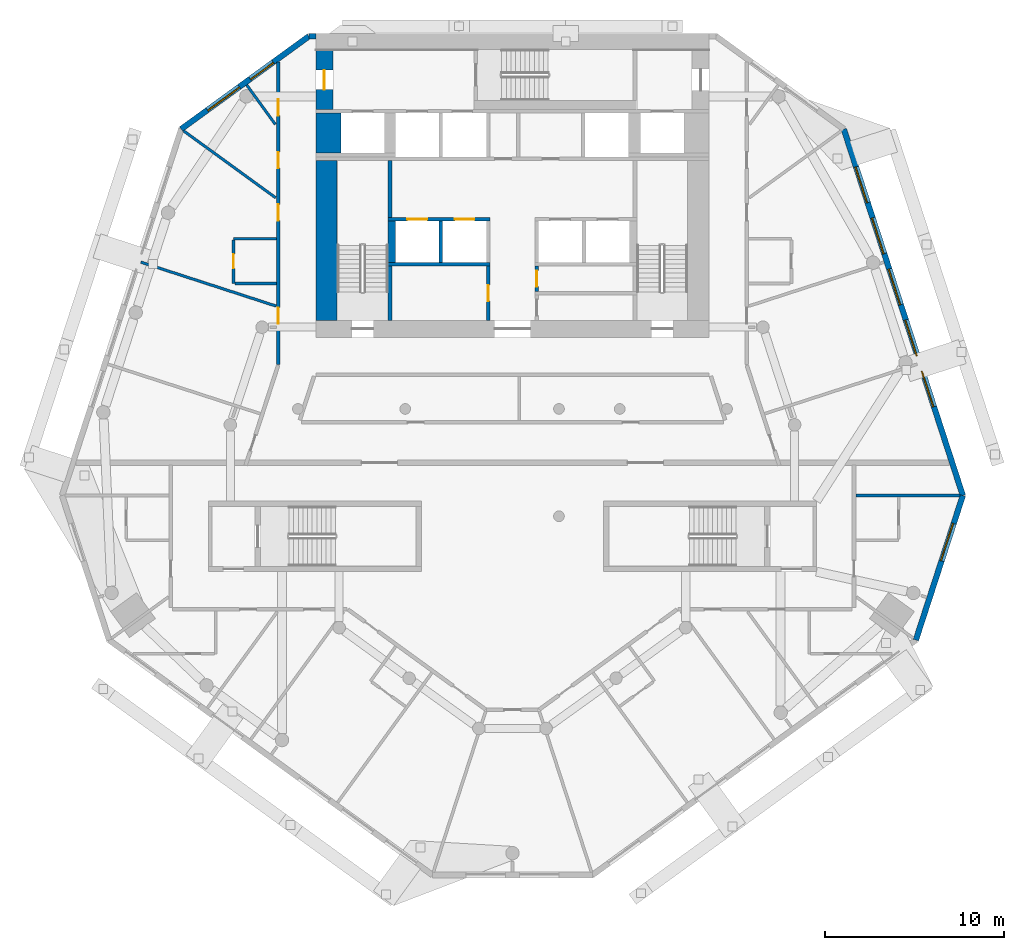
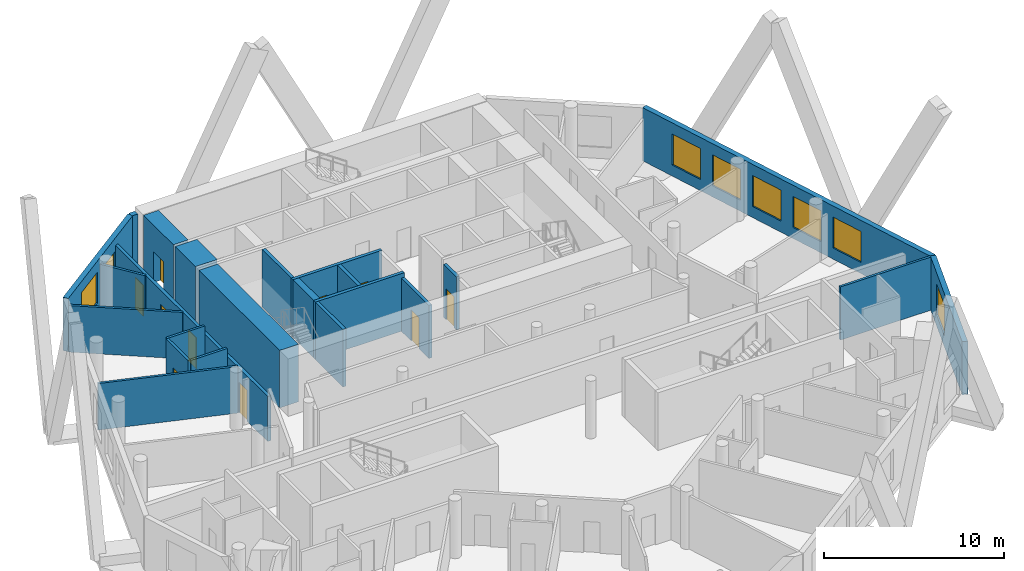
# One storey, part 6 of 10: 23 walls, 10 doors, 8 windows, 18 openings.
"""IFC4 building model written with IfcOpenShell, lengths in metres."""

from ifc_helpers import new_model, si_unit, direction, frame, frame_2d, origin, place, context, subcontext, project, spatial, rectangle, extrude, material, layer, layer_set, type_object, element, fill, save


model = new_model("IFC4")

# Units and contexts
model_context = context("Model", 3, precision=1e-05, world=origin(), true_north=direction((0.0, 1.0)))
body_context = subcontext(model_context, "Body", "Model", "MODEL_VIEW")
ifc_project = project(units=[si_unit("LENGTHUNIT", "METRE"), si_unit("AREAUNIT", "SQUARE_METRE"), si_unit("VOLUMEUNIT", "CUBIC_METRE"), si_unit("PLANEANGLEUNIT", "RADIAN"), si_unit("MASSUNIT", "GRAM", prefix="KILO")], contexts=[model_context])

# Site, building, storey
site_placement = place(None, origin())
site = spatial("IfcSite", under=ifc_project, at=site_placement, CompositionType="ELEMENT")
building_placement = place(site_placement, origin())
building = spatial("IfcBuilding", under=site, at=building_placement, Name="White Candle Pilgrim Tower", CompositionType="ELEMENT")
storey_placement = place(building_placement, frame((0.0, 0.0, 160.300048828125)))
storey = spatial("IfcBuildingStorey", under=building, at=storey_placement, Name="L36", CompositionType="ELEMENT", Elevation=160.300048828125)

# Wall
ifc_material_1 = material(Name="Concrete C60/75", Category="concrete")
ifc_layer_1 = layer(ifc_material_1, 1.39990234375)
ifc_layer_set_1 = layer_set([ifc_layer_1], Name="Core wall 1400 mm Concrete C60/75")
wall_type_1 = type_object("IfcWallType", Name="Core wall 1400 mm Concrete C60/75", PredefinedType="SHEAR", material=ifc_layer_set_1)
wall_1_placement = place(storey_placement, frame((59.699951171875, 81.300048828125, 0.0), z_axis=(0.0, 0.0, 1.0), x_axis=(0.0, 1.0, 0.0)))
element("IfcWall", 1, at=wall_1_placement, inside=storey, type_object=wall_type_1, Name="WL-L36-C40", PredefinedType="SHEAR", context=body_context, shape_type="SweptSolid", body=[
    extrude(rectangle(XDim=2.25, YDim=1.39990234375, at=frame_2d((1.125, 0.0))), origin(), (0.0, 0.0, 1.0), 3.89990234375),
])

# Wall, opening, door
ifc_layer_2 = layer(ifc_material_1, 0.949951171875)
ifc_layer_set_2 = layer_set([ifc_layer_2], Name="Core wall 950 mm Concrete C60/75")
wall_type_2 = type_object("IfcWallType", Name="Core wall 950 mm Concrete C60/75", PredefinedType="SHEAR", material=ifc_layer_set_2)
wall_2_placement = place(storey_placement, frame((59.47509765625, 83.75, 0.0), z_axis=(0.0, 0.0, 1.0), x_axis=(0.0, 1.0, 0.0)))
wall_2 = element("IfcWall", 2, at=wall_2_placement, inside=storey, type_object=wall_type_2, Name="WL-L36-C45", PredefinedType="SHEAR", context=body_context, shape_type="SweptSolid", body=[
    extrude(rectangle(XDim=3.300048828125, YDim=0.949951171875, at=frame_2d((1.64990234375, 0.0))), origin(), (0.0, 0.0, 1.0), 3.89990234375),
])
opening_1_placement = place(wall_2_placement, frame((1.10009765625, 0.0, 0.0)))
opening_1 = element("IfcOpeningElement", 3, at=opening_1_placement, cuts=wall_2, Name="Opening T11-008", PredefinedType="OPENING", context=body_context, shape_type="SweptSolid", body=[
    extrude(rectangle(XDim=1.10009765625, YDim=2.10009765625, at=frame_2d((0.550048828125, 1.050048828125))), frame((0.0, 0.48486328125, 0.0), z_axis=(0.0, -1.0, 0.0), x_axis=(1.0, 0.0, 0.0)), (0.0, 0.0, 1.0), 0.969970703125),
])
ifc_material_2 = material(Name="Steel door leaf", Category="steel")
door_type_1 = type_object("IfcDoorType", Name="Fire door 1100 x 2100 EI 60", OperationType="NOTDEFINED", PredefinedType="DOOR", material=ifc_material_2)
door_1_placement = place(opening_1_placement, origin())
door_1 = element("IfcDoor", 4, at=door_1_placement, inside=storey, type_object=door_type_1, Name="Door T11-008", OperationType="SINGLE_SWING_RIGHT", OverallHeight=2.10009765625, OverallWidth=1.10009765625, PredefinedType="DOOR", context=body_context, shape_type="SweptSolid", body=[
    extrude(rectangle(XDim=1.10009765625, YDim=2.10009765625, at=frame_2d((0.550048828125, 1.050048828125))), frame((0.0, 0.02490234375, 0.0), z_axis=(0.0, -1.0, 0.0), x_axis=(1.0, 0.0, 0.0)), (0.0, 0.0, 1.0), 0.050048828125),
])
fill(opening_1, door_1)

# Wall, openings, doors
ifc_material_3 = material(Name="Gypsum board on steel studs", Category="steel")
ifc_layer_3 = layer(ifc_material_3, 0.199951171875)
ifc_layer_set_3 = layer_set([ifc_layer_3], Name="Corridor wall 200 mm EI 45")
wall_type_3 = type_object("IfcWallType", Name="Corridor wall 200 mm EI 45", PredefinedType="PARTITIONING", material=ifc_layer_set_3)
wall_3_placement = place(storey_placement, frame((56.89990234375, 69.472900390625, 0.0), z_axis=(0.0, 0.0, 1.0), x_axis=(0.0, 1.0, 0.0)))
wall_3 = element("IfcWall", 5, at=wall_3_placement, inside=storey, type_object=wall_type_3, Name="WL-L36-P003", PredefinedType="PARTITIONING", context=body_context, shape_type="SweptSolid", body=[
    extrude(rectangle(XDim=16.92333984375, YDim=0.199951171875, at=frame_2d((8.461669921875, 0.0))), origin(), (0.0, 0.0, 1.0), 3.050048828125),
])
opening_2_placement = place(wall_3_placement, frame((2.29638671875, 0.0, 0.0)))
opening_2 = element("IfcOpeningElement", 6, at=opening_2_placement, cuts=wall_3, Name="Opening T11-125", PredefinedType="OPENING", context=body_context, shape_type="SweptSolid", body=[
    extrude(rectangle(XDim=0.89990234375, YDim=2.10009765625, at=frame_2d((0.449951171875, 1.050048828125))), frame((0.0, 0.10986328125, 0.0), z_axis=(0.0, -1.0, 0.0), x_axis=(1.0, 0.0, 0.0)), (0.0, 0.0, 1.0), 0.219970703125),
])
opening_3_placement = place(wall_3_placement, frame((8.06298828125, 0.0, 0.0)))
opening_3 = element("IfcOpeningElement", 7, at=opening_3_placement, cuts=wall_3, Name="Opening T11-126", PredefinedType="OPENING", context=body_context, shape_type="SweptSolid", body=[
    extrude(rectangle(XDim=0.89990234375, YDim=2.10009765625, at=frame_2d((0.449951171875, 1.050048828125))), frame((0.0, 0.10986328125, 0.0), z_axis=(0.0, -1.0, 0.0), x_axis=(1.0, 0.0, 0.0)), (0.0, 0.0, 1.0), 0.219970703125),
])
opening_4_placement = place(wall_3_placement, frame((10.989501953125, 0.0, 0.0)))
opening_4 = element("IfcOpeningElement", 8, at=opening_4_placement, cuts=wall_3, Name="Opening T11-127", PredefinedType="OPENING", context=body_context, shape_type="SweptSolid", body=[
    extrude(rectangle(XDim=0.89990234375, YDim=2.10009765625, at=frame_2d((0.449951171875, 1.050048828125))), frame((0.0, 0.10986328125, 0.0), z_axis=(0.0, -1.0, 0.0), x_axis=(1.0, 0.0, 0.0)), (0.0, 0.0, 1.0), 0.219970703125),
])
opening_5_placement = place(wall_3_placement, frame((13.934814453125, 0.0, 0.0)))
opening_5 = element("IfcOpeningElement", 9, at=opening_5_placement, cuts=wall_3, Name="Opening T11-128", PredefinedType="OPENING", context=body_context, shape_type="SweptSolid", body=[
    extrude(rectangle(XDim=0.89990234375, YDim=2.10009765625, at=frame_2d((0.449951171875, 1.050048828125))), frame((0.0, 0.10986328125, 0.0), z_axis=(0.0, -1.0, 0.0), x_axis=(1.0, 0.0, 0.0)), (0.0, 0.0, 1.0), 0.219970703125),
])
door_type_2 = type_object("IfcDoorType", Name="Fire door 900 x 2100 EI 30", OperationType="NOTDEFINED", PredefinedType="DOOR", material=ifc_material_2)
door_2_placement = place(opening_2_placement, origin())
door_2 = element("IfcDoor", 10, at=door_2_placement, inside=storey, type_object=door_type_2, Name="Door T11-125", OperationType="SINGLE_SWING_RIGHT", OverallHeight=2.10009765625, OverallWidth=0.89990234375, PredefinedType="DOOR", context=body_context, shape_type="SweptSolid", body=[
    extrude(rectangle(XDim=0.89990234375, YDim=2.10009765625, at=frame_2d((0.449951171875, 1.050048828125))), frame((0.0, 0.02490234375, 0.0), z_axis=(0.0, -1.0, 0.0), x_axis=(1.0, 0.0, 0.0)), (0.0, 0.0, 1.0), 0.050048828125),
])
fill(opening_2, door_2)
door_3_placement = place(opening_3_placement, origin())
door_3 = element("IfcDoor", 11, at=door_3_placement, inside=storey, type_object=door_type_2, Name="Door T11-126", OperationType="SINGLE_SWING_RIGHT", OverallHeight=2.10009765625, OverallWidth=0.89990234375, PredefinedType="DOOR", context=body_context, shape_type="SweptSolid", body=[
    extrude(rectangle(XDim=0.89990234375, YDim=2.10009765625, at=frame_2d((0.449951171875, 1.050048828125))), frame((0.0, 0.02490234375, 0.0), z_axis=(0.0, -1.0, 0.0), x_axis=(1.0, 0.0, 0.0)), (0.0, 0.0, 1.0), 0.050048828125),
])
fill(opening_3, door_3)
door_4_placement = place(opening_4_placement, origin())
door_4 = element("IfcDoor", 12, at=door_4_placement, inside=storey, type_object=door_type_2, Name="Door T11-127", OperationType="SINGLE_SWING_LEFT", OverallHeight=2.10009765625, OverallWidth=0.89990234375, PredefinedType="DOOR", context=body_context, shape_type="SweptSolid", body=[
    extrude(rectangle(XDim=0.89990234375, YDim=2.10009765625, at=frame_2d((0.449951171875, 1.050048828125))), frame((0.0, 0.02490234375, 0.0), z_axis=(0.0, -1.0, 0.0), x_axis=(1.0, 0.0, 0.0)), (0.0, 0.0, 1.0), 0.050048828125),
])
fill(opening_4, door_4)
door_5_placement = place(opening_5_placement, origin())
door_5 = element("IfcDoor", 13, at=door_5_placement, inside=storey, type_object=door_type_2, Name="Door T11-128", OperationType="SINGLE_SWING_RIGHT", OverallHeight=2.10009765625, OverallWidth=0.89990234375, PredefinedType="DOOR", context=body_context, shape_type="SweptSolid", body=[
    extrude(rectangle(XDim=0.89990234375, YDim=2.10009765625, at=frame_2d((0.449951171875, 1.050048828125))), frame((0.0, 0.02490234375, 0.0), z_axis=(0.0, -1.0, 0.0), x_axis=(1.0, 0.0, 0.0)), (0.0, 0.0, 1.0), 0.050048828125),
])
fill(opening_5, door_5)

# Wall, opening, window
ifc_material_4 = material(Name="Precast concrete C40/50", Category="concrete")
ifc_layer_4 = layer(ifc_material_4, 0.320068359375)
ifc_layer_set_4 = layer_set([ifc_layer_4], Name="Facade wall EW1 precast concrete C40/50 pier wall with timber-lined reveals")
wall_type_4 = type_object("IfcWallType", Name="Facade wall EW1 precast concrete C40/50 pier wall with timber-lined reveals", PredefinedType="SOLIDWALL", material=ifc_layer_set_4)
wall_4_placement = place(storey_placement, frame((92.559326171875, 54.071044921875, 0.0), z_axis=(0.0, 0.0, 1.0), x_axis=(0.30900946713, 0.951058962012, 0.0)))
wall_4 = element("IfcWall", 14, at=wall_4_placement, inside=storey, type_object=wall_type_4, Name="Facade wall L36 E chamfer", PredefinedType="SOLIDWALL", context=body_context, shape_type="SweptSolid", body=[
    extrude(rectangle(XDim=8.503662109375, YDim=0.320068359375, at=frame_2d((4.251953125, 0.0))), origin(), (0.0, 0.0, 1.0), 3.599853515625),
])
opening_6_placement = place(wall_4_placement, frame((4.65185546875, 0.0, 0.75)))
opening_6 = element("IfcOpeningElement", 15, at=opening_6_placement, cuts=wall_4, Name="Opening W4", PredefinedType="OPENING", context=body_context, shape_type="SweptSolid", body=[
    extrude(rectangle(XDim=2.199951171875, YDim=2.10009765625, at=frame_2d((1.10009765625, 1.050048828125))), frame((0.0, 0.169921875, 0.0), z_axis=(0.0, -1.0, 0.0), x_axis=(1.0, 0.0, 0.0)), (0.0, 0.0, 1.0), 0.340087890625),
])
ifc_material_5 = material(Name="Timber frame with triple glazing", Category="wood")
window_type_1 = type_object("IfcWindowType", Name="Window W4 2200x2100 timber frame triple glazing", PartitioningType="SINGLE_PANEL", PredefinedType="WINDOW", material=ifc_material_5)
window_1_placement = place(opening_6_placement, origin())
window_1 = element("IfcWindow", 16, at=window_1_placement, inside=storey, type_object=window_type_1, Name="Window W4 L36 E chamfer 2", OverallHeight=2.10009765625, OverallWidth=2.199951171875, PartitioningType="SINGLE_PANEL", PredefinedType="WINDOW", context=body_context, shape_type="SweptSolid", body=[
    extrude(rectangle(XDim=2.199951171875, YDim=2.10009765625, at=frame_2d((1.10009765625, 1.050048828125))), frame((0.0, 0.070068359375, 0.0), z_axis=(0.0, -1.0, 0.0), x_axis=(1.0, 0.0, 0.0)), (0.0, 0.0, 1.0), 0.06005859375),
])
fill(opening_6, window_1)

# Wall, openings, windows
wall_5_placement = place(storey_placement, frame((95.18701171875, 62.158447265625, 0.0), z_axis=(0.0, 0.0, 1.0), x_axis=(-0.309015355068, 0.951057048937, 0.0)))
wall_5 = element("IfcWall", 17, at=wall_5_placement, inside=storey, type_object=wall_type_4, Name="Facade wall L36 ENE", PredefinedType="SOLIDWALL", context=body_context, shape_type="SweptSolid", body=[
    extrude(rectangle(XDim=21.545654296875, YDim=0.320068359375, at=frame_2d((10.77294921875, 0.0))), origin(), (0.0, 0.0, 1.0), 3.599853515625),
])
opening_7_placement = place(wall_5_placement, frame((5.222900390625, 0.0, 0.75)))
opening_7 = element("IfcOpeningElement", 18, at=opening_7_placement, cuts=wall_5, Name="Opening W3", PredefinedType="OPENING", context=body_context, shape_type="SweptSolid", body=[
    extrude(rectangle(XDim=2.10009765625, YDim=2.10009765625, at=frame_2d((1.050048828125, 1.050048828125))), frame((0.0, 0.169921875, 0.0), z_axis=(0.0, -1.0, 0.0), x_axis=(1.0, 0.0, 0.0)), (0.0, 0.0, 1.0), 0.340087890625),
])
opening_8_placement = place(wall_5_placement, frame((8.222900390625, 0.0, 0.75)))
opening_8 = element("IfcOpeningElement", 19, at=opening_8_placement, cuts=wall_5, Name="Opening W3", PredefinedType="OPENING", context=body_context, shape_type="SweptSolid", body=[
    extrude(rectangle(XDim=2.10009765625, YDim=2.10009765625, at=frame_2d((1.050048828125, 1.050048828125))), frame((0.0, 0.169921875, 0.0), z_axis=(0.0, -1.0, 0.0), x_axis=(1.0, 0.0, 0.0)), (0.0, 0.0, 1.0), 0.340087890625),
])
opening_9_placement = place(wall_5_placement, frame((11.222900390625, 0.0, 0.75)))
opening_9 = element("IfcOpeningElement", 20, at=opening_9_placement, cuts=wall_5, Name="Opening W3", PredefinedType="OPENING", context=body_context, shape_type="SweptSolid", body=[
    extrude(rectangle(XDim=2.10009765625, YDim=2.10009765625, at=frame_2d((1.050048828125, 1.050048828125))), frame((0.0, 0.169921875, 0.0), z_axis=(0.0, -1.0, 0.0), x_axis=(1.0, 0.0, 0.0)), (0.0, 0.0, 1.0), 0.340087890625),
])
opening_10_placement = place(wall_5_placement, frame((14.222900390625, 0.0, 0.75)))
opening_10 = element("IfcOpeningElement", 21, at=opening_10_placement, cuts=wall_5, Name="Opening W3", PredefinedType="OPENING", context=body_context, shape_type="SweptSolid", body=[
    extrude(rectangle(XDim=2.10009765625, YDim=2.10009765625, at=frame_2d((1.050048828125, 1.050048828125))), frame((0.0, 0.169921875, 0.0), z_axis=(0.0, -1.0, 0.0), x_axis=(1.0, 0.0, 0.0)), (0.0, 0.0, 1.0), 0.340087890625),
])
opening_11_placement = place(wall_5_placement, frame((17.222900390625, 0.0, 0.75)))
opening_11 = element("IfcOpeningElement", 22, at=opening_11_placement, cuts=wall_5, Name="Opening W3", PredefinedType="OPENING", context=body_context, shape_type="SweptSolid", body=[
    extrude(rectangle(XDim=2.10009765625, YDim=2.10009765625, at=frame_2d((1.050048828125, 1.050048828125))), frame((0.0, 0.169921875, 0.0), z_axis=(0.0, -1.0, 0.0), x_axis=(1.0, 0.0, 0.0)), (0.0, 0.0, 1.0), 0.340087890625),
])
window_type_2 = type_object("IfcWindowType", Name="Window W3 2100x2100 timber frame triple glazing", PartitioningType="SINGLE_PANEL", PredefinedType="WINDOW", material=ifc_material_5)
window_2_placement = place(opening_7_placement, origin())
window_2 = element("IfcWindow", 23, at=window_2_placement, inside=storey, type_object=window_type_2, Name="Window W3 L36 ENE 2", OverallHeight=2.10009765625, OverallWidth=2.10009765625, PartitioningType="SINGLE_PANEL", PredefinedType="WINDOW", context=body_context, shape_type="SweptSolid", body=[
    extrude(rectangle(XDim=2.10009765625, YDim=2.10009765625, at=frame_2d((1.050048828125, 1.050048828125))), frame((0.0, 0.070068359375, 0.0), z_axis=(0.0, -1.0, 0.0), x_axis=(1.0, 0.0, 0.0)), (0.0, 0.0, 1.0), 0.06005859375),
])
fill(opening_7, window_2)
window_3_placement = place(opening_8_placement, origin())
window_3 = element("IfcWindow", 24, at=window_3_placement, inside=storey, type_object=window_type_2, Name="Window W3 L36 ENE 3", OverallHeight=2.10009765625, OverallWidth=2.10009765625, PartitioningType="SINGLE_PANEL", PredefinedType="WINDOW", context=body_context, shape_type="SweptSolid", body=[
    extrude(rectangle(XDim=2.10009765625, YDim=2.10009765625, at=frame_2d((1.050048828125, 1.050048828125))), frame((0.0, 0.070068359375, 0.0), z_axis=(0.0, -1.0, 0.0), x_axis=(1.0, 0.0, 0.0)), (0.0, 0.0, 1.0), 0.06005859375),
])
fill(opening_8, window_3)
window_4_placement = place(opening_9_placement, origin())
window_4 = element("IfcWindow", 25, at=window_4_placement, inside=storey, type_object=window_type_2, Name="Window W3 L36 ENE 4", OverallHeight=2.10009765625, OverallWidth=2.10009765625, PartitioningType="SINGLE_PANEL", PredefinedType="WINDOW", context=body_context, shape_type="SweptSolid", body=[
    extrude(rectangle(XDim=2.10009765625, YDim=2.10009765625, at=frame_2d((1.050048828125, 1.050048828125))), frame((0.0, 0.070068359375, 0.0), z_axis=(0.0, -1.0, 0.0), x_axis=(1.0, 0.0, 0.0)), (0.0, 0.0, 1.0), 0.06005859375),
])
fill(opening_9, window_4)
window_5_placement = place(opening_10_placement, origin())
window_5 = element("IfcWindow", 26, at=window_5_placement, inside=storey, type_object=window_type_2, Name="Window W3 L36 ENE 5", OverallHeight=2.10009765625, OverallWidth=2.10009765625, PartitioningType="SINGLE_PANEL", PredefinedType="WINDOW", context=body_context, shape_type="SweptSolid", body=[
    extrude(rectangle(XDim=2.10009765625, YDim=2.10009765625, at=frame_2d((1.050048828125, 1.050048828125))), frame((0.0, 0.070068359375, 0.0), z_axis=(0.0, -1.0, 0.0), x_axis=(1.0, 0.0, 0.0)), (0.0, 0.0, 1.0), 0.06005859375),
])
fill(opening_10, window_5)
window_6_placement = place(opening_11_placement, origin())
window_6 = element("IfcWindow", 27, at=window_6_placement, inside=storey, type_object=window_type_2, Name="Window W3 L36 ENE 6", OverallHeight=2.10009765625, OverallWidth=2.10009765625, PartitioningType="SINGLE_PANEL", PredefinedType="WINDOW", context=body_context, shape_type="SweptSolid", body=[
    extrude(rectangle(XDim=2.10009765625, YDim=2.10009765625, at=frame_2d((1.050048828125, 1.050048828125))), frame((0.0, 0.070068359375, 0.0), z_axis=(0.0, -1.0, 0.0), x_axis=(1.0, 0.0, 0.0)), (0.0, 0.0, 1.0), 0.06005859375),
])
fill(opening_11, window_6)

# Wall
wall_6_placement = place(storey_placement, frame((59.0, 87.840087890625, 0.0), z_axis=(0.0, 0.0, 1.0), x_axis=(-1.0, 0.0, 0.0)))
element("IfcWall", 28, at=wall_6_placement, inside=storey, type_object=wall_type_4, Name="Facade wall L36 N", PredefinedType="SOLIDWALL", context=body_context, shape_type="SweptSolid", body=[
    extrude(rectangle(XDim=0.385009765625, YDim=0.320068359375, at=frame_2d((0.1923828125, 0.0))), origin(), (0.0, 0.0, 1.0), 3.599853515625),
])

# Wall, openings, windows
wall_7_placement = place(storey_placement, frame((58.614990234375, 87.840087890625, 0.0), z_axis=(0.0, 0.0, 1.0), x_axis=(-0.809018144148, -0.587783669762, 0.0)))
wall_7 = element("IfcWall", 29, at=wall_7_placement, inside=storey, type_object=wall_type_4, Name="Facade wall L36 NW chamfer", PredefinedType="SOLIDWALL", context=body_context, shape_type="SweptSolid", body=[
    extrude(rectangle(XDim=8.83056640625, YDim=0.320068359375, at=frame_2d((4.415283203125, 0.0))), origin(), (0.0, 0.0, 1.0), 3.599853515625),
])
opening_12_placement = place(wall_7_placement, frame((2.459716796875, 0.0, 0.89990234375)))
opening_12 = element("IfcOpeningElement", 30, at=opening_12_placement, cuts=wall_7, Name="Opening W2", PredefinedType="OPENING", context=body_context, shape_type="SweptSolid", body=[
    extrude(rectangle(XDim=1.60009765625, YDim=1.800048828125, at=frame_2d((0.800048828125, 0.89990234375))), frame((0.0, 0.169921875, 0.0), z_axis=(0.0, -1.0, 0.0), x_axis=(1.0, 0.0, 0.0)), (0.0, 0.0, 1.0), 0.340087890625),
])
opening_13_placement = place(wall_7_placement, frame((4.815185546875, 0.0, 0.75)))
opening_13 = element("IfcOpeningElement", 31, at=opening_13_placement, cuts=wall_7, Name="Opening W4", PredefinedType="OPENING", context=body_context, shape_type="SweptSolid", body=[
    extrude(rectangle(XDim=2.199951171875, YDim=2.10009765625, at=frame_2d((1.10009765625, 1.050048828125))), frame((0.0, 0.169921875, 0.0), z_axis=(0.0, -1.0, 0.0), x_axis=(1.0, 0.0, 0.0)), (0.0, 0.0, 1.0), 0.340087890625),
])
window_type_3 = type_object("IfcWindowType", Name="Window W2 1600x1800 timber frame triple glazing", PartitioningType="SINGLE_PANEL", PredefinedType="WINDOW", material=ifc_material_5)
window_7_placement = place(opening_12_placement, origin())
window_7 = element("IfcWindow", 32, at=window_7_placement, inside=storey, type_object=window_type_3, Name="Window W2 L36 NW chamfer 1", OverallHeight=1.800048828125, OverallWidth=1.60009765625, PartitioningType="SINGLE_PANEL", PredefinedType="WINDOW", context=body_context, shape_type="SweptSolid", body=[
    extrude(rectangle(XDim=1.60009765625, YDim=1.800048828125, at=frame_2d((0.800048828125, 0.89990234375))), frame((0.0, 0.070068359375, 0.0), z_axis=(0.0, -1.0, 0.0), x_axis=(1.0, 0.0, 0.0)), (0.0, 0.0, 1.0), 0.06005859375),
])
fill(opening_12, window_7)
window_8_placement = place(opening_13_placement, origin())
window_8 = element("IfcWindow", 33, at=window_8_placement, inside=storey, type_object=window_type_1, Name="Window W4 L36 NW chamfer 2", OverallHeight=2.10009765625, OverallWidth=2.199951171875, PartitioningType="SINGLE_PANEL", PredefinedType="WINDOW", context=body_context, shape_type="SweptSolid", body=[
    extrude(rectangle(XDim=2.199951171875, YDim=2.10009765625, at=frame_2d((1.10009765625, 1.050048828125))), frame((0.0, 0.070068359375, 0.0), z_axis=(0.0, -1.0, 0.0), x_axis=(1.0, 0.0, 0.0)), (0.0, 0.0, 1.0), 0.06005859375),
])
fill(opening_13, window_8)

# Wall, opening, door
ifc_layer_5 = layer(ifc_material_3, 0.199951171875)
ifc_layer_set_5 = layer_set([ifc_layer_5], Name="Lobby wall 200 mm EI 60")
wall_type_5 = type_object("IfcWallType", Name="Lobby wall 200 mm EI 60", PredefinedType="PARTITIONING", material=ifc_layer_set_5)
wall_8_placement = place(storey_placement, frame((68.64990234375, 71.949951171875, 0.0), z_axis=(0.0, 0.0, 1.0), x_axis=(0.0, 1.0, 0.0)))
wall_8 = element("IfcWall", 34, at=wall_8_placement, inside=storey, type_object=wall_type_5, Name="WL-L36-C14", PredefinedType="PARTITIONING", context=body_context, shape_type="SweptSolid", body=[
    extrude(rectangle(XDim=3.050048828125, YDim=0.199951171875, at=frame_2d((1.52490234375, 0.0))), origin(), (0.0, 0.0, 1.0), 3.599853515625),
])
opening_14_placement = place(wall_8_placement, frame((1.074951171875, 0.0, 0.0)))
opening_14 = element("IfcOpeningElement", 35, at=opening_14_placement, cuts=wall_8, Name="Opening T11-005", PredefinedType="OPENING", context=body_context, shape_type="SweptSolid", body=[
    extrude(rectangle(XDim=0.89990234375, YDim=2.10009765625, at=frame_2d((0.449951171875, 1.050048828125))), frame((0.0, 0.10986328125, 0.0), z_axis=(0.0, -1.0, 0.0), x_axis=(1.0, 0.0, 0.0)), (0.0, 0.0, 1.0), 0.219970703125),
])
door_6_placement = place(opening_14_placement, origin())
door_6 = element("IfcDoor", 36, at=door_6_placement, inside=storey, type_object=door_type_2, Name="Door T11-005", OperationType="SINGLE_SWING_LEFT", OverallHeight=2.10009765625, OverallWidth=0.89990234375, PredefinedType="DOOR", context=body_context, shape_type="SweptSolid", body=[
    extrude(rectangle(XDim=0.89990234375, YDim=2.10009765625, at=frame_2d((0.449951171875, 1.050048828125))), frame((0.0, 0.02490234375, 0.0), z_axis=(0.0, -1.0, 0.0), x_axis=(1.0, 0.0, 0.0)), (0.0, 0.0, 1.0), 0.050048828125),
])
fill(opening_14, door_6)

wall_9_placement = place(storey_placement, frame((71.35009765625, 73.574951171875, 0.0), z_axis=(0.0, 0.0, 1.0), x_axis=(0.0, 1.0, 0.0)))
wall_9 = element("IfcWall", 37, at=wall_9_placement, inside=storey, type_object=wall_type_5, Name="WL-L36-C19", PredefinedType="PARTITIONING", context=body_context, shape_type="SweptSolid", body=[
    extrude(rectangle(XDim=1.425048828125, YDim=0.199951171875, at=frame_2d((0.71240234375, 0.0))), origin(), (0.0, 0.0, 1.0), 3.599853515625),
])
opening_15_placement = place(wall_9_placement, frame((0.262451171875, 0.0, 0.0)))
opening_15 = element("IfcOpeningElement", 38, at=opening_15_placement, cuts=wall_9, Name="Opening T11-007", PredefinedType="OPENING", context=body_context, shape_type="SweptSolid", body=[
    extrude(rectangle(XDim=0.89990234375, YDim=2.10009765625, at=frame_2d((0.449951171875, 1.050048828125))), frame((0.0, 0.10986328125, 0.0), z_axis=(0.0, -1.0, 0.0), x_axis=(1.0, 0.0, 0.0)), (0.0, 0.0, 1.0), 0.219970703125),
])
door_7_placement = place(opening_15_placement, origin())
door_7 = element("IfcDoor", 39, at=door_7_placement, inside=storey, type_object=door_type_2, Name="Door T11-007", OperationType="SINGLE_SWING_LEFT", OverallHeight=2.10009765625, OverallWidth=0.89990234375, PredefinedType="DOOR", context=body_context, shape_type="SweptSolid", body=[
    extrude(rectangle(XDim=0.89990234375, YDim=2.10009765625, at=frame_2d((0.449951171875, 1.050048828125))), frame((0.0, 0.02490234375, 0.0), z_axis=(0.0, -1.0, 0.0), x_axis=(1.0, 0.0, 0.0)), (0.0, 0.0, 1.0), 0.050048828125),
])
fill(opening_15, door_7)

# Walls
ifc_layer_6 = layer(ifc_material_3, 0.14990234375)
ifc_layer_set_6 = layer_set([ifc_layer_6], Name="Partition 150 mm EI 60")
wall_type_6 = type_object("IfcWallType", Name="Partition 150 mm EI 60", PredefinedType="PARTITIONING", material=ifc_layer_set_6)
wall_10_placement = place(storey_placement, frame((51.607177734375, 82.55078125, 0.0), z_axis=(0.0, 0.0, 1.0), x_axis=(0.809018004504, -0.587783861966, 0.0)))
element("IfcWall", 40, at=wall_10_placement, inside=storey, type_object=wall_type_6, Name="WL-L36-P017", PredefinedType="PARTITIONING", context=body_context, shape_type="SweptSolid", body=[
    extrude(rectangle(XDim=6.364013671875, YDim=0.14990234375, at=frame_2d((3.18212890625, 0.0))), origin(), (0.0, 0.0, 1.0), 3.14990234375),
])
wall_11_placement = place(storey_placement, frame((95.018798828125, 62.158447265625, 0.0), z_axis=(0.0, 0.0, 1.0), x_axis=(-1.0, 0.0, 0.0)))
element("IfcWall", 41, at=wall_11_placement, inside=storey, type_object=wall_type_6, Name="WL-L36-P023", PredefinedType="PARTITIONING", context=body_context, shape_type="SweptSolid", body=[
    extrude(rectangle(XDim=5.81884765625, YDim=0.14990234375, at=frame_2d((2.909423828125, 0.0))), origin(), (0.0, 0.0, 1.0), 3.599853515625),
])
wall_12_placement = place(storey_placement, frame((55.13720703125, 85.115478515625, 0.0), z_axis=(0.0, 0.0, 1.0), x_axis=(0.587734915063, -0.809053564121, 0.0)))
element("IfcWall", 42, at=wall_12_placement, inside=storey, type_object=wall_type_6, Name="WL-L36-P025", PredefinedType="PARTITIONING", context=body_context, shape_type="SweptSolid", body=[
    extrude(rectangle(XDim=2.725830078125, YDim=0.14990234375, at=frame_2d((1.36279296875, 0.0))), origin(), (0.0, 0.0, 1.0), 3.14990234375),
])
wall_13_placement = place(storey_placement, frame((49.22119140625, 75.207763671875, 0.0), z_axis=(0.0, 0.0, 1.0), x_axis=(0.951053036923, -0.309027702575, 0.0)))
element("IfcWall", 43, at=wall_13_placement, inside=storey, type_object=wall_type_6, Name="WL-L36-P026", PredefinedType="PARTITIONING", context=body_context, shape_type="SweptSolid", body=[
    extrude(rectangle(XDim=7.944580078125, YDim=0.14990234375, at=frame_2d((3.97216796875, 0.0))), origin(), (0.0, 0.0, 1.0), 3.14990234375),
])
wall_14_placement = place(storey_placement, frame((56.800048828125, 76.5126953125, 0.0), z_axis=(0.0, 0.0, 1.0), x_axis=(-1.0, 0.0, 0.0)))
element("IfcWall", 44, at=wall_14_placement, inside=storey, type_object=wall_type_6, Name="WL-L36-P028", PredefinedType="PARTITIONING", context=body_context, shape_type="SweptSolid", body=[
    extrude(rectangle(XDim=2.400146484375, YDim=0.14990234375, at=frame_2d((1.2001953125, 0.0))), origin(), (0.0, 0.0, 1.0), 3.599853515625),
])

# Wall, opening, door
wall_15_placement = place(storey_placement, frame((54.39990234375, 74.0126953125, 0.0), z_axis=(0.0, 0.0, 1.0), x_axis=(0.0, 1.0, 0.0)))
wall_15 = element("IfcWall", 45, at=wall_15_placement, inside=storey, type_object=wall_type_6, Name="WL-L36-P029", PredefinedType="PARTITIONING", context=body_context, shape_type="SweptSolid", body=[
    extrude(rectangle(XDim=2.425048828125, YDim=0.14990234375, at=frame_2d((1.21240234375, 0.0))), origin(), (0.0, 0.0, 1.0), 3.599853515625),
])
opening_16_placement = place(wall_15_placement, frame((0.85009765625, 0.0, 0.0)))
opening_16 = element("IfcOpeningElement", 46, at=opening_16_placement, cuts=wall_15, Name="Opening T11-101", PredefinedType="OPENING", context=body_context, shape_type="SweptSolid", body=[
    extrude(rectangle(XDim=0.800048828125, YDim=2.10009765625, at=frame_2d((0.39990234375, 1.050048828125))), frame((0.0, 0.0849609375, 0.0), z_axis=(0.0, -1.0, 0.0), x_axis=(1.0, 0.0, 0.0)), (0.0, 0.0, 1.0), 0.169921875),
])
door_type_3 = type_object("IfcDoorType", Name="Fire door 800 x 2100 EI 30", OperationType="NOTDEFINED", PredefinedType="DOOR", material=ifc_material_2)
door_8_placement = place(opening_16_placement, origin())
door_8 = element("IfcDoor", 47, at=door_8_placement, inside=storey, type_object=door_type_3, Name="Door T11-101", OperationType="SINGLE_SWING_LEFT", OverallHeight=2.10009765625, OverallWidth=0.800048828125, PredefinedType="DOOR", context=body_context, shape_type="SweptSolid", body=[
    extrude(rectangle(XDim=0.800048828125, YDim=2.10009765625, at=frame_2d((0.39990234375, 1.050048828125))), frame((0.0, 0.02490234375, 0.0), z_axis=(0.0, -1.0, 0.0), x_axis=(1.0, 0.0, 0.0)), (0.0, 0.0, 1.0), 0.050048828125),
])
fill(opening_16, door_8)

# Walls
wall_16_placement = place(storey_placement, frame((56.800048828125, 74.0126953125, 0.0), z_axis=(0.0, 0.0, 1.0), x_axis=(-1.0, 0.0, 0.0)))
element("IfcWall", 48, at=wall_16_placement, inside=storey, type_object=wall_type_6, Name="WL-L36-P030", PredefinedType="PARTITIONING", context=body_context, shape_type="SweptSolid", body=[
    extrude(rectangle(XDim=2.324951171875, YDim=0.14990234375, at=frame_2d((1.16259765625, 0.0))), origin(), (0.0, 0.0, 1.0), 3.599853515625),
])
ifc_layer_7 = layer(ifc_material_1, 0.199951171875)
ifc_layer_set_7 = layer_set([ifc_layer_7], Name="Shaft wall 200 mm Concrete C60/75")
wall_type_7 = type_object("IfcWallType", Name="Shaft wall 200 mm Concrete C60/75", PredefinedType="SHEAR", material=ifc_layer_set_7)
wall_17_placement = place(storey_placement, frame((66.0, 75.199951171875, 0.0), z_axis=(0.0, 0.0, 1.0), x_axis=(0.0, 1.0, 0.0)))
element("IfcWall", 49, at=wall_17_placement, inside=storey, type_object=wall_type_7, Name="WL-L36-C24", PredefinedType="SHEAR", context=body_context, shape_type="SweptSolid", body=[
    extrude(rectangle(XDim=2.300048828125, YDim=0.199951171875, at=frame_2d((1.14990234375, 0.0))), origin(), (0.0, 0.0, 1.0), 3.89990234375),
])
ifc_layer_8 = layer(ifc_material_1, 1.199951171875)
ifc_layer_set_8 = layer_set([ifc_layer_8], Name="Stair shaft wall 1200 mm Concrete C60/75")
wall_type_8 = type_object("IfcWallType", Name="Stair shaft wall 1200 mm Concrete C60/75", PredefinedType="SHEAR", material=ifc_layer_set_8)
wall_18_placement = place(storey_placement, frame((59.60009765625, 71.949951171875, 0.0), z_axis=(0.0, 0.0, 1.0), x_axis=(0.0, 1.0, 0.0)))
element("IfcWall", 50, at=wall_18_placement, inside=storey, type_object=wall_type_8, Name="WL-L36-C12", PredefinedType="SHEAR", context=body_context, shape_type="SweptSolid", body=[
    extrude(rectangle(XDim=8.949951171875, YDim=1.199951171875, at=frame_2d((4.47509765625, 0.0))), origin(), (0.0, 0.0, 1.0), 3.89990234375),
])
ifc_layer_9 = layer(ifc_material_1, 0.199951171875)
ifc_layer_set_9 = layer_set([ifc_layer_9], Name="Stair shaft wall 200 mm Concrete C60/75")
wall_type_9 = type_object("IfcWallType", Name="Stair shaft wall 200 mm Concrete C60/75", PredefinedType="SHEAR", material=ifc_layer_set_9)
wall_19_placement = place(storey_placement, frame((63.14990234375, 71.949951171875, 0.0), z_axis=(0.0, 0.0, 1.0), x_axis=(0.0, 1.0, 0.0)))
element("IfcWall", 51, at=wall_19_placement, inside=storey, type_object=wall_type_9, Name="WL-L36-C13", PredefinedType="SHEAR", context=body_context, shape_type="SweptSolid", body=[
    extrude(rectangle(XDim=3.050048828125, YDim=0.199951171875, at=frame_2d((1.52490234375, 0.0))), origin(), (0.0, 0.0, 1.0), 3.89990234375),
])
wall_20_placement = place(storey_placement, frame((63.050048828125, 75.10009765625, 0.0), z_axis=(0.0, 0.0, 1.0), x_axis=(1.0, 0.0, 0.0)))
element("IfcWall", 52, at=wall_20_placement, inside=storey, type_object=wall_type_9, Name="WL-L36-C21", PredefinedType="SHEAR", context=body_context, shape_type="SweptSolid", body=[
    extrude(rectangle(XDim=5.699951171875, YDim=0.199951171875, at=frame_2d((2.85009765625, 0.0))), origin(), (0.0, 0.0, 1.0), 3.89990234375),
])

# Wall, openings, doors
wall_21_placement = place(storey_placement, frame((63.050048828125, 77.60009765625, 0.0), z_axis=(0.0, 0.0, 1.0), x_axis=(1.0, 0.0, 0.0)))
wall_21 = element("IfcWall", 53, at=wall_21_placement, inside=storey, type_object=wall_type_9, Name="WL-L36-C29", PredefinedType="SHEAR", context=body_context, shape_type="SweptSolid", body=[
    extrude(rectangle(XDim=5.699951171875, YDim=0.199951171875, at=frame_2d((2.85009765625, 0.0))), origin(), (0.0, 0.0, 1.0), 3.89990234375),
])
opening_17_placement = place(wall_21_placement, frame((1.074951171875, 0.0, 0.0)))
opening_17 = element("IfcOpeningElement", 54, at=opening_17_placement, cuts=wall_21, Name="Opening T11-014", PredefinedType="OPENING", context=body_context, shape_type="SweptSolid", body=[
    extrude(rectangle(XDim=1.10009765625, YDim=2.10009765625, at=frame_2d((0.550048828125, 1.050048828125))), frame((0.0, 0.10986328125, 0.0), z_axis=(0.0, -1.0, 0.0), x_axis=(1.0, 0.0, 0.0)), (0.0, 0.0, 1.0), 0.219970703125),
])
opening_18_placement = place(wall_21_placement, frame((3.72509765625, 0.0, 0.0)))
opening_18 = element("IfcOpeningElement", 55, at=opening_18_placement, cuts=wall_21, Name="Opening T11-015", PredefinedType="OPENING", context=body_context, shape_type="SweptSolid", body=[
    extrude(rectangle(XDim=1.10009765625, YDim=2.10009765625, at=frame_2d((0.550048828125, 1.050048828125))), frame((0.0, 0.10986328125, 0.0), z_axis=(0.0, -1.0, 0.0), x_axis=(1.0, 0.0, 0.0)), (0.0, 0.0, 1.0), 0.219970703125),
])
ifc_material_6 = material(Name="Stainless steel", Category="steel")
door_type_4 = type_object("IfcDoorType", Name="Lift landing door 1100 x 2100 E 60", OperationType="DOUBLE_DOOR_SLIDING", PredefinedType="DOOR", material=ifc_material_6)
door_9_placement = place(opening_17_placement, origin())
door_9 = element("IfcDoor", 56, at=door_9_placement, inside=storey, type_object=door_type_4, Name="Door T11-014", OperationType="DOUBLE_DOOR_SLIDING", OverallHeight=2.10009765625, OverallWidth=1.10009765625, PredefinedType="DOOR", context=body_context, shape_type="SweptSolid", body=[
    extrude(rectangle(XDim=1.10009765625, YDim=2.10009765625, at=frame_2d((0.550048828125, 1.050048828125))), frame((0.0, 0.02490234375, 0.0), z_axis=(0.0, -1.0, 0.0), x_axis=(1.0, 0.0, 0.0)), (0.0, 0.0, 1.0), 0.050048828125),
])
fill(opening_17, door_9)
door_10_placement = place(opening_18_placement, origin())
door_10 = element("IfcDoor", 57, at=door_10_placement, inside=storey, type_object=door_type_4, Name="Door T11-015", OperationType="DOUBLE_DOOR_SLIDING", OverallHeight=2.10009765625, OverallWidth=1.10009765625, PredefinedType="DOOR", context=body_context, shape_type="SweptSolid", body=[
    extrude(rectangle(XDim=1.10009765625, YDim=2.10009765625, at=frame_2d((0.550048828125, 1.050048828125))), frame((0.0, 0.02490234375, 0.0), z_axis=(0.0, -1.0, 0.0), x_axis=(1.0, 0.0, 0.0)), (0.0, 0.0, 1.0), 0.050048828125),
])
fill(opening_18, door_10)

# Walls
wall_22_placement = place(storey_placement, frame((63.14990234375, 77.699951171875, 0.0), z_axis=(0.0, 0.0, 1.0), x_axis=(0.0, 1.0, 0.0)))
element("IfcWall", 58, at=wall_22_placement, inside=storey, type_object=wall_type_9, Name="WL-L36-C31", PredefinedType="SHEAR", context=body_context, shape_type="SweptSolid", body=[
    extrude(rectangle(XDim=3.199951171875, YDim=0.199951171875, at=frame_2d((1.60009765625, 0.0))), origin(), (0.0, 0.0, 1.0), 3.89990234375),
])
ifc_layer_10 = layer(ifc_material_1, 0.39990234375)
ifc_layer_set_10 = layer_set([ifc_layer_10], Name="Stair shaft wall 400 mm Concrete C60/75")
wall_type_10 = type_object("IfcWallType", Name="Stair shaft wall 400 mm Concrete C60/75", PredefinedType="SHEAR", material=ifc_layer_set_10)
wall_23_placement = place(storey_placement, frame((63.25, 75.199951171875, 0.0), z_axis=(0.0, 0.0, 1.0), x_axis=(0.0, 1.0, 0.0)))
element("IfcWall", 59, at=wall_23_placement, inside=storey, type_object=wall_type_10, Name="WL-L36-C23", PredefinedType="SHEAR", context=body_context, shape_type="SweptSolid", body=[
    extrude(rectangle(XDim=2.300048828125, YDim=0.39990234375, at=frame_2d((1.14990234375, 0.0))), origin(), (0.0, 0.0, 1.0), 3.89990234375),
])

save(model, "model.ifc")
